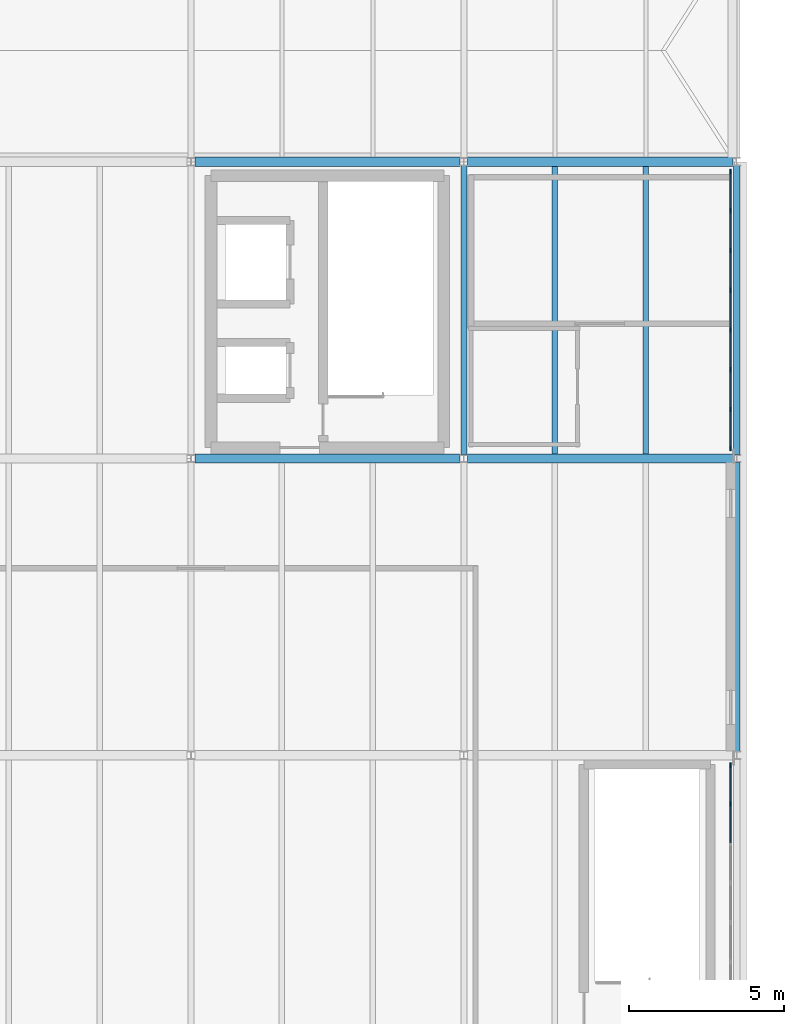
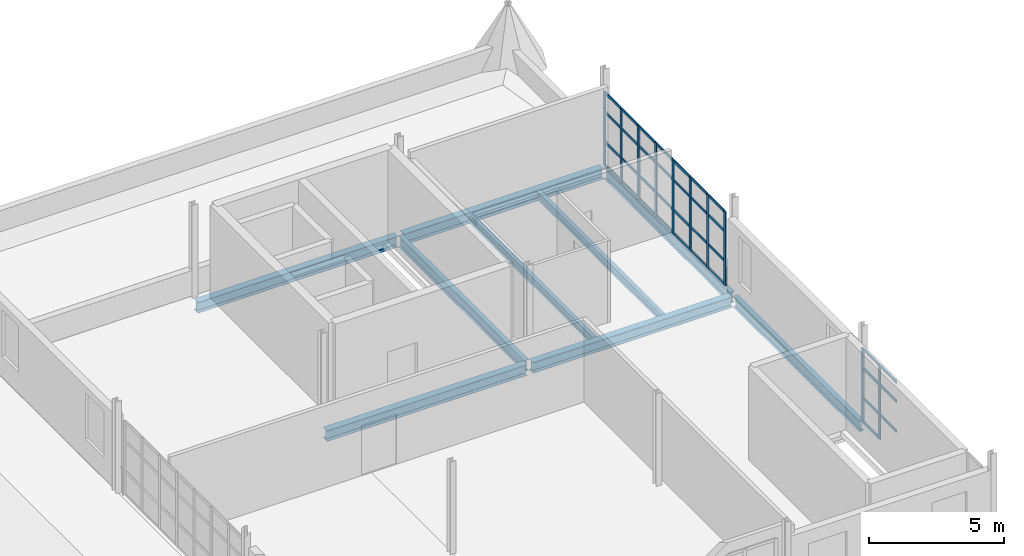
# One storey, part 14 of 28: 45 members, 9 beams, 2 elements without a shape of their own.
"""IFC4 building model written with IfcOpenShell, lengths in metres."""

from ifc_helpers import new_model, si_unit, direction, frame, origin, origin_2d, place, context, subcontext, project, spatial, rectangle, i_section, extrude, material, layer, layer_set, material_profile, profile_set, type_object, element, aggregate, save


model = new_model("IFC4")

# Units and contexts
model_context = context("Model", 3, precision=1e-05, world=origin(), true_north=direction((0.0, 1.0)))
body_context = subcontext(model_context, "Body", "Model", "MODEL_VIEW")
ifc_project = project(units=[si_unit("LENGTHUNIT", "METRE"), si_unit("AREAUNIT", "SQUARE_METRE"), si_unit("VOLUMEUNIT", "CUBIC_METRE"), si_unit("PLANEANGLEUNIT", "RADIAN"), si_unit("MASSUNIT", "GRAM", prefix="KILO")], contexts=[model_context])

# Site, building, storey
site_placement = place(None, origin())
site = spatial("IfcSite", under=ifc_project, at=site_placement, CompositionType="ELEMENT")
building_placement = place(site_placement, origin())
building = spatial("IfcBuilding", under=site, at=building_placement, Name="Yeouljin Market Hall", CompositionType="ELEMENT")
storey_placement = place(building_placement, frame((0.0, 0.0, 15.0)))
storey = spatial("IfcBuildingStorey", under=building, at=storey_placement, Name="L03", CompositionType="ELEMENT", Elevation=15.0)

# Beams
ifc_material_1 = material(Name="Steel SM355", Category="steel")
ifc_material_profile_1 = material_profile(ifc_material_1, i_section(OverallWidth=0.199951171875, OverallDepth=0.5, WebThickness=0.010009765625, FlangeThickness=0.01611328125, FilletRadius=0.02001953125, at=origin_2d()), Name="H-500x200x10x16")
ifc_profile_set_1 = profile_set([ifc_material_profile_1], Name="Steel SM355")
beam_type_1 = type_object("IfcBeamType", Name="Beam_H-500x200x10x16", PredefinedType="BEAM", material=ifc_profile_set_1)
beam_1_placement = place(storey_placement, frame((167.570068359375, 19.324951171875, -0.514892578125), z_axis=(0.0, 1.0, 0.0), x_axis=(-1.0, 0.0, 0.0)))
element("IfcBeam", 1, at=beam_1_placement, inside=storey, type_object=beam_type_1, Name="Primary beam BM-L03-Y084", PredefinedType="BEAM", context=body_context, shape_type="SweptSolid", body=[
    extrude(i_section(OverallWidth=0.199951171875, OverallDepth=0.5, WebThickness=0.010009765625, FlangeThickness=0.01611328125, FilletRadius=0.02001953125, at=origin_2d()), origin(), (0.0, 0.0, 1.0), 9.35009765625),
])
beam_2_placement = place(storey_placement, frame((176.39990234375, 9.72509765625, -0.514892578125), z_axis=(0.0, 1.0, 0.0), x_axis=(-1.0, 0.0, 0.0)))
element("IfcBeam", 2, at=beam_2_placement, inside=storey, type_object=beam_type_1, Name="Primary beam BM-L03-Y087", PredefinedType="BEAM", context=body_context, shape_type="SweptSolid", body=[
    extrude(i_section(OverallWidth=0.199951171875, OverallDepth=0.5, WebThickness=0.010009765625, FlangeThickness=0.01611328125, FilletRadius=0.02001953125, at=origin_2d()), origin(), (0.0, 0.0, 1.0), 9.349853515625),
])
beam_3_placement = place(storey_placement, frame((176.39990234375, 19.324951171875, -0.514892578125), z_axis=(0.0, 1.0, 0.0), x_axis=(-1.0, 0.0, 0.0)))
element("IfcBeam", 3, at=beam_3_placement, inside=storey, type_object=beam_type_1, Name="Primary beam BM-L03-Y088", PredefinedType="BEAM", context=body_context, shape_type="SweptSolid", body=[
    extrude(i_section(OverallWidth=0.199951171875, OverallDepth=0.5, WebThickness=0.010009765625, FlangeThickness=0.01611328125, FilletRadius=0.02001953125, at=origin_2d()), origin(), (0.0, 0.0, 1.0), 9.35009765625),
])

# Curtain wall, members
ifc_material_2 = material(Name="Thermally Broken Aluminium", Category="aluminium")
ifc_layer = layer(ifc_material_2, 0.14990234375)
ifc_layer_set = layer_set([ifc_layer], Name="Thermally Broken Aluminium")
curtain_wall_type = type_object("IfcCurtainWallType", Name="CW_AcademyRibbon_System", PredefinedType="USERDEFINED", material=ifc_layer_set)
curtain_wall_1_placement = place(storey_placement, origin())
curtain_wall_1 = element("IfcCurtainWall", 4, at=curtain_wall_1_placement, inside=storey, type_object=curtain_wall_type, Name="Curtain wall CW-L03-W13", ObjectType="CURTAIN WALL", PredefinedType="USERDEFINED")
ifc_material_3 = material(Name="Thermally Broken Aluminium", Category="aluminium")
ifc_material_profile_2 = material_profile(ifc_material_3, rectangle(XDim=0.048095703125, YDim=0.14990234375, at=origin_2d()), Name="CW-MULL-48x150")
ifc_profile_set_2 = profile_set([ifc_material_profile_2], Name="Thermally Broken Aluminium")
member_type_1 = type_object("IfcMemberType", Name="CWMullion_48x150", PredefinedType="MULLION", material=ifc_profile_set_2)
member_1_placement = place(storey_placement, frame((176.199951171875, 28.47607421875, 0.0), z_axis=(0.0, 0.0, 1.0), x_axis=(1.0, 0.0, 0.0)))
member_1 = element("IfcMember", 5, at=member_1_placement, type_object=member_type_1, Name="CW-05 mullion 1", PredefinedType="MULLION", context=body_context, shape_type="SweptSolid", body=[
    extrude(rectangle(XDim=0.048095703125, YDim=0.14990234375, at=origin_2d()), origin(), (0.0, 0.0, 1.0), 3.35009765625),
])
member_2_placement = place(storey_placement, frame((176.199951171875, 27.21435546875, 0.0), z_axis=(0.0, 0.0, 1.0), x_axis=(1.0, 0.0, 0.0)))
member_2 = element("IfcMember", 6, at=member_2_placement, type_object=member_type_1, Name="CW-05 mullion 2", PredefinedType="MULLION", context=body_context, shape_type="SweptSolid", body=[
    extrude(rectangle(XDim=0.048095703125, YDim=0.14990234375, at=origin_2d()), origin(), (0.0, 0.0, 1.0), 3.35009765625),
])
member_3_placement = place(storey_placement, frame((176.199951171875, 25.928466796875, 0.0), z_axis=(0.0, 0.0, 1.0), x_axis=(1.0, 0.0, 0.0)))
member_3 = element("IfcMember", 7, at=member_3_placement, type_object=member_type_1, Name="CW-05 mullion 3", PredefinedType="MULLION", context=body_context, shape_type="SweptSolid", body=[
    extrude(rectangle(XDim=0.048095703125, YDim=0.14990234375, at=origin_2d()), origin(), (0.0, 0.0, 1.0), 3.35009765625),
])
member_4_placement = place(storey_placement, frame((176.199951171875, 24.642822265625, 0.0), z_axis=(0.0, 0.0, 1.0), x_axis=(1.0, 0.0, 0.0)))
member_4 = element("IfcMember", 8, at=member_4_placement, type_object=member_type_1, Name="CW-05 mullion 4", PredefinedType="MULLION", context=body_context, shape_type="SweptSolid", body=[
    extrude(rectangle(XDim=0.048095703125, YDim=0.14990234375, at=origin_2d()), origin(), (0.0, 0.0, 1.0), 3.35009765625),
])
member_5_placement = place(storey_placement, frame((176.199951171875, 23.357177734375, 0.0), z_axis=(0.0, 0.0, 1.0), x_axis=(1.0, 0.0, 0.0)))
member_5 = element("IfcMember", 9, at=member_5_placement, type_object=member_type_1, Name="CW-05 mullion 5", PredefinedType="MULLION", context=body_context, shape_type="SweptSolid", body=[
    extrude(rectangle(XDim=0.048095703125, YDim=0.14990234375, at=origin_2d()), origin(), (0.0, 0.0, 1.0), 3.35009765625),
])
member_6_placement = place(storey_placement, frame((176.199951171875, 22.071533203125, 0.0), z_axis=(0.0, 0.0, 1.0), x_axis=(1.0, 0.0, 0.0)))
member_6 = element("IfcMember", 10, at=member_6_placement, type_object=member_type_1, Name="CW-05 mullion 6", PredefinedType="MULLION", context=body_context, shape_type="SweptSolid", body=[
    extrude(rectangle(XDim=0.048095703125, YDim=0.14990234375, at=origin_2d()), origin(), (0.0, 0.0, 1.0), 3.35009765625),
])
member_7_placement = place(storey_placement, frame((176.199951171875, 20.78564453125, 0.0), z_axis=(0.0, 0.0, 1.0), x_axis=(1.0, 0.0, 0.0)))
member_7 = element("IfcMember", 11, at=member_7_placement, type_object=member_type_1, Name="CW-05 mullion 7", PredefinedType="MULLION", context=body_context, shape_type="SweptSolid", body=[
    extrude(rectangle(XDim=0.048095703125, YDim=0.14990234375, at=origin_2d()), origin(), (0.0, 0.0, 1.0), 3.35009765625),
])
member_8_placement = place(storey_placement, frame((176.199951171875, 19.52392578125, 0.0), z_axis=(0.0, 0.0, 1.0), x_axis=(1.0, 0.0, 0.0)))
member_8 = element("IfcMember", 12, at=member_8_placement, type_object=member_type_1, Name="CW-05 mullion 8", PredefinedType="MULLION", context=body_context, shape_type="SweptSolid", body=[
    extrude(rectangle(XDim=0.048095703125, YDim=0.14990234375, at=origin_2d()), origin(), (0.0, 0.0, 1.0), 3.35009765625),
])

curtain_wall_2_placement = place(storey_placement, origin())
curtain_wall_2 = element("IfcCurtainWall", 13, at=curtain_wall_2_placement, inside=storey, type_object=curtain_wall_type, Name="Curtain wall CW-L03-W15", ObjectType="CURTAIN WALL", PredefinedType="USERDEFINED")
member_9_placement = place(storey_placement, frame((176.199951171875, 9.27587890625, 0.0), z_axis=(0.0, 0.0, 1.0), x_axis=(1.0, 0.0, 0.0)))
member_9 = element("IfcMember", 14, at=member_9_placement, type_object=member_type_1, Name="CW-05 mullion 1", PredefinedType="MULLION", context=body_context, shape_type="SweptSolid", body=[
    extrude(rectangle(XDim=0.048095703125, YDim=0.14990234375, at=origin_2d()), origin(), (0.0, 0.0, 1.0), 3.35009765625),
])
member_10_placement = place(storey_placement, frame((176.199951171875, 8.021484375, 0.0), z_axis=(0.0, 0.0, 1.0), x_axis=(1.0, 0.0, 0.0)))
member_10 = element("IfcMember", 15, at=member_10_placement, type_object=member_type_1, Name="CW-05 mullion 2", PredefinedType="MULLION", context=body_context, shape_type="SweptSolid", body=[
    extrude(rectangle(XDim=0.048095703125, YDim=0.14990234375, at=origin_2d()), origin(), (0.0, 0.0, 1.0), 3.35009765625),
])

# Member
ifc_material_4 = material(Name="Thermally Broken Aluminium", Category="aluminium")
ifc_material_profile_3 = material_profile(ifc_material_4, rectangle(XDim=0.048095703125, YDim=0.1201171875, at=origin_2d()), Name="CW-TRAN-48x120")
ifc_profile_set_3 = profile_set([ifc_material_profile_3], Name="Thermally Broken Aluminium")
member_type_2 = type_object("IfcMemberType", Name="CWTransom_48x120", PredefinedType="USERDEFINED", material=ifc_profile_set_3)
member_11_placement = place(storey_placement, frame((176.199951171875, 28.451904296875, 0.02392578125), z_axis=(0.0, -1.0, 0.0), x_axis=(1.0, 0.0, 0.0)))
member_11 = element("IfcMember", 16, at=member_11_placement, type_object=member_type_2, Name="CW-05 transom 1.1", ObjectType="TRANSOM", PredefinedType="USERDEFINED", context=body_context, shape_type="SweptSolid", body=[
    extrude(rectangle(XDim=0.048095703125, YDim=0.1201171875, at=origin_2d()), origin(), (0.0, 0.0, 1.0), 1.213623046875),
])

member_12_placement = place(storey_placement, frame((176.199951171875, 28.451904296875, 1.10009765625), z_axis=(0.0, -1.0, 0.0), x_axis=(1.0, 0.0, 0.0)))
member_12 = element("IfcMember", 17, at=member_12_placement, type_object=member_type_2, Name="CW-05 transom 1.2", ObjectType="TRANSOM", PredefinedType="USERDEFINED", context=body_context, shape_type="SweptSolid", body=[
    extrude(rectangle(XDim=0.048095703125, YDim=0.1201171875, at=origin_2d()), origin(), (0.0, 0.0, 1.0), 1.213623046875),
])

member_13_placement = place(storey_placement, frame((176.199951171875, 28.451904296875, 2.449951171875), z_axis=(0.0, -1.0, 0.0), x_axis=(1.0, 0.0, 0.0)))
member_13 = element("IfcMember", 18, at=member_13_placement, type_object=member_type_2, Name="CW-05 transom 1.3", ObjectType="TRANSOM", PredefinedType="USERDEFINED", context=body_context, shape_type="SweptSolid", body=[
    extrude(rectangle(XDim=0.048095703125, YDim=0.1201171875, at=origin_2d()), origin(), (0.0, 0.0, 1.0), 1.213623046875),
])

member_14_placement = place(storey_placement, frame((176.199951171875, 28.451904296875, 3.325927734375), z_axis=(0.0, -1.0, 0.0), x_axis=(1.0, 0.0, 0.0)))
member_14 = element("IfcMember", 19, at=member_14_placement, type_object=member_type_2, Name="CW-05 transom 1.4", ObjectType="TRANSOM", PredefinedType="USERDEFINED", context=body_context, shape_type="SweptSolid", body=[
    extrude(rectangle(XDim=0.048095703125, YDim=0.1201171875, at=origin_2d()), origin(), (0.0, 0.0, 1.0), 1.213623046875),
])

member_15_placement = place(storey_placement, frame((176.199951171875, 27.190185546875, 0.02392578125), z_axis=(0.0, -1.0, 0.0), x_axis=(1.0, 0.0, 0.0)))
member_15 = element("IfcMember", 20, at=member_15_placement, type_object=member_type_2, Name="CW-05 transom 2.1", ObjectType="TRANSOM", PredefinedType="USERDEFINED", context=body_context, shape_type="SweptSolid", body=[
    extrude(rectangle(XDim=0.048095703125, YDim=0.1201171875, at=origin_2d()), origin(), (0.0, 0.0, 1.0), 1.237548828125),
])

member_16_placement = place(storey_placement, frame((176.199951171875, 27.190185546875, 1.10009765625), z_axis=(0.0, -1.0, 0.0), x_axis=(1.0, 0.0, 0.0)))
member_16 = element("IfcMember", 21, at=member_16_placement, type_object=member_type_2, Name="CW-05 transom 2.2", ObjectType="TRANSOM", PredefinedType="USERDEFINED", context=body_context, shape_type="SweptSolid", body=[
    extrude(rectangle(XDim=0.048095703125, YDim=0.1201171875, at=origin_2d()), origin(), (0.0, 0.0, 1.0), 1.237548828125),
])

member_17_placement = place(storey_placement, frame((176.199951171875, 27.190185546875, 2.449951171875), z_axis=(0.0, -1.0, 0.0), x_axis=(1.0, 0.0, 0.0)))
member_17 = element("IfcMember", 22, at=member_17_placement, type_object=member_type_2, Name="CW-05 transom 2.3", ObjectType="TRANSOM", PredefinedType="USERDEFINED", context=body_context, shape_type="SweptSolid", body=[
    extrude(rectangle(XDim=0.048095703125, YDim=0.1201171875, at=origin_2d()), origin(), (0.0, 0.0, 1.0), 1.237548828125),
])

member_18_placement = place(storey_placement, frame((176.199951171875, 27.190185546875, 3.325927734375), z_axis=(0.0, -1.0, 0.0), x_axis=(1.0, 0.0, 0.0)))
member_18 = element("IfcMember", 23, at=member_18_placement, type_object=member_type_2, Name="CW-05 transom 2.4", ObjectType="TRANSOM", PredefinedType="USERDEFINED", context=body_context, shape_type="SweptSolid", body=[
    extrude(rectangle(XDim=0.048095703125, YDim=0.1201171875, at=origin_2d()), origin(), (0.0, 0.0, 1.0), 1.237548828125),
])

member_19_placement = place(storey_placement, frame((176.199951171875, 25.904541015625, 0.02392578125), z_axis=(0.0, -1.0, 0.0), x_axis=(1.0, 0.0, 0.0)))
member_19 = element("IfcMember", 24, at=member_19_placement, type_object=member_type_2, Name="CW-05 transom 3.1", ObjectType="TRANSOM", PredefinedType="USERDEFINED", context=body_context, shape_type="SweptSolid", body=[
    extrude(rectangle(XDim=0.048095703125, YDim=0.1201171875, at=origin_2d()), origin(), (0.0, 0.0, 1.0), 1.23779296875),
])

member_20_placement = place(storey_placement, frame((176.199951171875, 25.904541015625, 1.10009765625), z_axis=(0.0, -1.0, 0.0), x_axis=(1.0, 0.0, 0.0)))
member_20 = element("IfcMember", 25, at=member_20_placement, type_object=member_type_2, Name="CW-05 transom 3.2", ObjectType="TRANSOM", PredefinedType="USERDEFINED", context=body_context, shape_type="SweptSolid", body=[
    extrude(rectangle(XDim=0.048095703125, YDim=0.1201171875, at=origin_2d()), origin(), (0.0, 0.0, 1.0), 1.23779296875),
])

member_21_placement = place(storey_placement, frame((176.199951171875, 25.904541015625, 2.449951171875), z_axis=(0.0, -1.0, 0.0), x_axis=(1.0, 0.0, 0.0)))
member_21 = element("IfcMember", 26, at=member_21_placement, type_object=member_type_2, Name="CW-05 transom 3.3", ObjectType="TRANSOM", PredefinedType="USERDEFINED", context=body_context, shape_type="SweptSolid", body=[
    extrude(rectangle(XDim=0.048095703125, YDim=0.1201171875, at=origin_2d()), origin(), (0.0, 0.0, 1.0), 1.23779296875),
])

member_22_placement = place(storey_placement, frame((176.199951171875, 25.904541015625, 3.325927734375), z_axis=(0.0, -1.0, 0.0), x_axis=(1.0, 0.0, 0.0)))
member_22 = element("IfcMember", 27, at=member_22_placement, type_object=member_type_2, Name="CW-05 transom 3.4", ObjectType="TRANSOM", PredefinedType="USERDEFINED", context=body_context, shape_type="SweptSolid", body=[
    extrude(rectangle(XDim=0.048095703125, YDim=0.1201171875, at=origin_2d()), origin(), (0.0, 0.0, 1.0), 1.23779296875),
])

member_23_placement = place(storey_placement, frame((176.199951171875, 24.618896484375, 0.02392578125), z_axis=(0.0, -1.0, 0.0), x_axis=(1.0, 0.0, 0.0)))
member_23 = element("IfcMember", 28, at=member_23_placement, type_object=member_type_2, Name="CW-05 transom 4.1", ObjectType="TRANSOM", PredefinedType="USERDEFINED", context=body_context, shape_type="SweptSolid", body=[
    extrude(rectangle(XDim=0.048095703125, YDim=0.1201171875, at=origin_2d()), origin(), (0.0, 0.0, 1.0), 1.23779296875),
])

member_24_placement = place(storey_placement, frame((176.199951171875, 24.618896484375, 1.10009765625), z_axis=(0.0, -1.0, 0.0), x_axis=(1.0, 0.0, 0.0)))
member_24 = element("IfcMember", 29, at=member_24_placement, type_object=member_type_2, Name="CW-05 transom 4.2", ObjectType="TRANSOM", PredefinedType="USERDEFINED", context=body_context, shape_type="SweptSolid", body=[
    extrude(rectangle(XDim=0.048095703125, YDim=0.1201171875, at=origin_2d()), origin(), (0.0, 0.0, 1.0), 1.23779296875),
])

member_25_placement = place(storey_placement, frame((176.199951171875, 24.618896484375, 2.449951171875), z_axis=(0.0, -1.0, 0.0), x_axis=(1.0, 0.0, 0.0)))
member_25 = element("IfcMember", 30, at=member_25_placement, type_object=member_type_2, Name="CW-05 transom 4.3", ObjectType="TRANSOM", PredefinedType="USERDEFINED", context=body_context, shape_type="SweptSolid", body=[
    extrude(rectangle(XDim=0.048095703125, YDim=0.1201171875, at=origin_2d()), origin(), (0.0, 0.0, 1.0), 1.23779296875),
])

member_26_placement = place(storey_placement, frame((176.199951171875, 24.618896484375, 3.325927734375), z_axis=(0.0, -1.0, 0.0), x_axis=(1.0, 0.0, 0.0)))
member_26 = element("IfcMember", 31, at=member_26_placement, type_object=member_type_2, Name="CW-05 transom 4.4", ObjectType="TRANSOM", PredefinedType="USERDEFINED", context=body_context, shape_type="SweptSolid", body=[
    extrude(rectangle(XDim=0.048095703125, YDim=0.1201171875, at=origin_2d()), origin(), (0.0, 0.0, 1.0), 1.23779296875),
])

member_27_placement = place(storey_placement, frame((176.199951171875, 23.333251953125, 0.02392578125), z_axis=(0.0, -1.0, 0.0), x_axis=(1.0, 0.0, 0.0)))
member_27 = element("IfcMember", 32, at=member_27_placement, type_object=member_type_2, Name="CW-05 transom 5.1", ObjectType="TRANSOM", PredefinedType="USERDEFINED", context=body_context, shape_type="SweptSolid", body=[
    extrude(rectangle(XDim=0.048095703125, YDim=0.1201171875, at=origin_2d()), origin(), (0.0, 0.0, 1.0), 1.23779296875),
])

member_28_placement = place(storey_placement, frame((176.199951171875, 23.333251953125, 1.10009765625), z_axis=(0.0, -1.0, 0.0), x_axis=(1.0, 0.0, 0.0)))
member_28 = element("IfcMember", 33, at=member_28_placement, type_object=member_type_2, Name="CW-05 transom 5.2", ObjectType="TRANSOM", PredefinedType="USERDEFINED", context=body_context, shape_type="SweptSolid", body=[
    extrude(rectangle(XDim=0.048095703125, YDim=0.1201171875, at=origin_2d()), origin(), (0.0, 0.0, 1.0), 1.23779296875),
])

member_29_placement = place(storey_placement, frame((176.199951171875, 23.333251953125, 2.449951171875), z_axis=(0.0, -1.0, 0.0), x_axis=(1.0, 0.0, 0.0)))
member_29 = element("IfcMember", 34, at=member_29_placement, type_object=member_type_2, Name="CW-05 transom 5.3", ObjectType="TRANSOM", PredefinedType="USERDEFINED", context=body_context, shape_type="SweptSolid", body=[
    extrude(rectangle(XDim=0.048095703125, YDim=0.1201171875, at=origin_2d()), origin(), (0.0, 0.0, 1.0), 1.23779296875),
])

member_30_placement = place(storey_placement, frame((176.199951171875, 23.333251953125, 3.325927734375), z_axis=(0.0, -1.0, 0.0), x_axis=(1.0, 0.0, 0.0)))
member_30 = element("IfcMember", 35, at=member_30_placement, type_object=member_type_2, Name="CW-05 transom 5.4", ObjectType="TRANSOM", PredefinedType="USERDEFINED", context=body_context, shape_type="SweptSolid", body=[
    extrude(rectangle(XDim=0.048095703125, YDim=0.1201171875, at=origin_2d()), origin(), (0.0, 0.0, 1.0), 1.23779296875),
])

member_31_placement = place(storey_placement, frame((176.199951171875, 22.04736328125, 0.02392578125), z_axis=(0.0, -1.0, 0.0), x_axis=(1.0, 0.0, 0.0)))
member_31 = element("IfcMember", 36, at=member_31_placement, type_object=member_type_2, Name="CW-05 transom 6.1", ObjectType="TRANSOM", PredefinedType="USERDEFINED", context=body_context, shape_type="SweptSolid", body=[
    extrude(rectangle(XDim=0.048095703125, YDim=0.1201171875, at=origin_2d()), origin(), (0.0, 0.0, 1.0), 1.237548828125),
])

member_32_placement = place(storey_placement, frame((176.199951171875, 22.04736328125, 1.10009765625), z_axis=(0.0, -1.0, 0.0), x_axis=(1.0, 0.0, 0.0)))
member_32 = element("IfcMember", 37, at=member_32_placement, type_object=member_type_2, Name="CW-05 transom 6.2", ObjectType="TRANSOM", PredefinedType="USERDEFINED", context=body_context, shape_type="SweptSolid", body=[
    extrude(rectangle(XDim=0.048095703125, YDim=0.1201171875, at=origin_2d()), origin(), (0.0, 0.0, 1.0), 1.237548828125),
])

member_33_placement = place(storey_placement, frame((176.199951171875, 22.04736328125, 2.449951171875), z_axis=(0.0, -1.0, 0.0), x_axis=(1.0, 0.0, 0.0)))
member_33 = element("IfcMember", 38, at=member_33_placement, type_object=member_type_2, Name="CW-05 transom 6.3", ObjectType="TRANSOM", PredefinedType="USERDEFINED", context=body_context, shape_type="SweptSolid", body=[
    extrude(rectangle(XDim=0.048095703125, YDim=0.1201171875, at=origin_2d()), origin(), (0.0, 0.0, 1.0), 1.237548828125),
])

member_34_placement = place(storey_placement, frame((176.199951171875, 22.04736328125, 3.325927734375), z_axis=(0.0, -1.0, 0.0), x_axis=(1.0, 0.0, 0.0)))
member_34 = element("IfcMember", 39, at=member_34_placement, type_object=member_type_2, Name="CW-05 transom 6.4", ObjectType="TRANSOM", PredefinedType="USERDEFINED", context=body_context, shape_type="SweptSolid", body=[
    extrude(rectangle(XDim=0.048095703125, YDim=0.1201171875, at=origin_2d()), origin(), (0.0, 0.0, 1.0), 1.237548828125),
])

member_35_placement = place(storey_placement, frame((176.199951171875, 20.76171875, 0.02392578125), z_axis=(0.0, -1.0, 0.0), x_axis=(1.0, 0.0, 0.0)))
member_35 = element("IfcMember", 40, at=member_35_placement, type_object=member_type_2, Name="CW-05 transom 7.1", ObjectType="TRANSOM", PredefinedType="USERDEFINED", context=body_context, shape_type="SweptSolid", body=[
    extrude(rectangle(XDim=0.048095703125, YDim=0.1201171875, at=origin_2d()), origin(), (0.0, 0.0, 1.0), 1.213623046875),
])

member_36_placement = place(storey_placement, frame((176.199951171875, 20.76171875, 1.10009765625), z_axis=(0.0, -1.0, 0.0), x_axis=(1.0, 0.0, 0.0)))
member_36 = element("IfcMember", 41, at=member_36_placement, type_object=member_type_2, Name="CW-05 transom 7.2", ObjectType="TRANSOM", PredefinedType="USERDEFINED", context=body_context, shape_type="SweptSolid", body=[
    extrude(rectangle(XDim=0.048095703125, YDim=0.1201171875, at=origin_2d()), origin(), (0.0, 0.0, 1.0), 1.213623046875),
])

member_37_placement = place(storey_placement, frame((176.199951171875, 20.76171875, 2.449951171875), z_axis=(0.0, -1.0, 0.0), x_axis=(1.0, 0.0, 0.0)))
member_37 = element("IfcMember", 42, at=member_37_placement, type_object=member_type_2, Name="CW-05 transom 7.3", ObjectType="TRANSOM", PredefinedType="USERDEFINED", context=body_context, shape_type="SweptSolid", body=[
    extrude(rectangle(XDim=0.048095703125, YDim=0.1201171875, at=origin_2d()), origin(), (0.0, 0.0, 1.0), 1.213623046875),
])

member_38_placement = place(storey_placement, frame((176.199951171875, 20.76171875, 3.325927734375), z_axis=(0.0, -1.0, 0.0), x_axis=(1.0, 0.0, 0.0)))
member_38 = element("IfcMember", 43, at=member_38_placement, type_object=member_type_2, Name="CW-05 transom 7.4", ObjectType="TRANSOM", PredefinedType="USERDEFINED", context=body_context, shape_type="SweptSolid", body=[
    extrude(rectangle(XDim=0.048095703125, YDim=0.1201171875, at=origin_2d()), origin(), (0.0, 0.0, 1.0), 1.213623046875),
])

aggregate(curtain_wall_1, [member_1, member_2, member_3, member_4, member_5, member_6, member_7, member_8, member_11, member_12, member_13, member_14, member_15, member_16, member_17, member_18, member_19, member_20, member_21, member_22, member_23, member_24, member_25, member_26, member_27, member_28, member_29, member_30, member_31, member_32, member_33, member_34, member_35, member_36, member_37, member_38])

member_39_placement = place(storey_placement, frame((176.199951171875, 9.251953125, 0.02392578125), z_axis=(0.0, -1.0, 0.0), x_axis=(1.0, 0.0, 0.0)))
member_39 = element("IfcMember", 44, at=member_39_placement, type_object=member_type_2, Name="CW-05 transom 1.1", ObjectType="TRANSOM", PredefinedType="USERDEFINED", context=body_context, shape_type="SweptSolid", body=[
    extrude(rectangle(XDim=0.048095703125, YDim=0.1201171875, at=origin_2d()), origin(), (0.0, 0.0, 1.0), 1.20654296875),
])

member_40_placement = place(storey_placement, frame((176.199951171875, 9.251953125, 1.10009765625), z_axis=(0.0, -1.0, 0.0), x_axis=(1.0, 0.0, 0.0)))
member_40 = element("IfcMember", 45, at=member_40_placement, type_object=member_type_2, Name="CW-05 transom 1.2", ObjectType="TRANSOM", PredefinedType="USERDEFINED", context=body_context, shape_type="SweptSolid", body=[
    extrude(rectangle(XDim=0.048095703125, YDim=0.1201171875, at=origin_2d()), origin(), (0.0, 0.0, 1.0), 1.20654296875),
])

member_41_placement = place(storey_placement, frame((176.199951171875, 9.251953125, 2.449951171875), z_axis=(0.0, -1.0, 0.0), x_axis=(1.0, 0.0, 0.0)))
member_41 = element("IfcMember", 46, at=member_41_placement, type_object=member_type_2, Name="CW-05 transom 1.3", ObjectType="TRANSOM", PredefinedType="USERDEFINED", context=body_context, shape_type="SweptSolid", body=[
    extrude(rectangle(XDim=0.048095703125, YDim=0.1201171875, at=origin_2d()), origin(), (0.0, 0.0, 1.0), 1.20654296875),
])

member_42_placement = place(storey_placement, frame((176.199951171875, 9.251953125, 3.325927734375), z_axis=(0.0, -1.0, 0.0), x_axis=(1.0, 0.0, 0.0)))
member_42 = element("IfcMember", 47, at=member_42_placement, type_object=member_type_2, Name="CW-05 transom 1.4", ObjectType="TRANSOM", PredefinedType="USERDEFINED", context=body_context, shape_type="SweptSolid", body=[
    extrude(rectangle(XDim=0.048095703125, YDim=0.1201171875, at=origin_2d()), origin(), (0.0, 0.0, 1.0), 1.20654296875),
])

member_43_placement = place(storey_placement, frame((176.199951171875, 7.997314453125, 1.10009765625), z_axis=(0.0, -1.0, 0.0), x_axis=(1.0, 0.0, 0.0)))
member_43 = element("IfcMember", 48, at=member_43_placement, type_object=member_type_2, Name="CW-05 transom 2.2", ObjectType="TRANSOM", PredefinedType="USERDEFINED", context=body_context, shape_type="SweptSolid", body=[
    extrude(rectangle(XDim=0.048095703125, YDim=0.1201171875, at=origin_2d()), origin(), (0.0, 0.0, 1.0), 1.23046875),
])

member_44_placement = place(storey_placement, frame((176.199951171875, 7.997314453125, 2.449951171875), z_axis=(0.0, -1.0, 0.0), x_axis=(1.0, 0.0, 0.0)))
member_44 = element("IfcMember", 49, at=member_44_placement, type_object=member_type_2, Name="CW-05 transom 2.3", ObjectType="TRANSOM", PredefinedType="USERDEFINED", context=body_context, shape_type="SweptSolid", body=[
    extrude(rectangle(XDim=0.048095703125, YDim=0.1201171875, at=origin_2d()), origin(), (0.0, 0.0, 1.0), 1.23046875),
])

member_45_placement = place(storey_placement, frame((176.199951171875, 7.997314453125, 3.325927734375), z_axis=(0.0, -1.0, 0.0), x_axis=(1.0, 0.0, 0.0)))
member_45 = element("IfcMember", 50, at=member_45_placement, type_object=member_type_2, Name="CW-05 transom 2.4", ObjectType="TRANSOM", PredefinedType="USERDEFINED", context=body_context, shape_type="SweptSolid", body=[
    extrude(rectangle(XDim=0.048095703125, YDim=0.1201171875, at=origin_2d()), origin(), (0.0, 0.0, 1.0), 1.23046875),
])

aggregate(curtain_wall_2, [member_9, member_10, member_39, member_40, member_41, member_42, member_43, member_44, member_45])

# Beams
ifc_material_5 = material(Name="Steel SM355", Category="steel")
ifc_material_profile_4 = material_profile(ifc_material_5, i_section(OverallWidth=0.300048828125, OverallDepth=0.488037109375, WebThickness=0.010986328125, FlangeThickness=0.01806640625, FilletRadius=0.02197265625, at=origin_2d()), Name="H-488x300x11x18")
ifc_profile_set_4 = profile_set([ifc_material_profile_4], Name="Steel SM355")
beam_type_2 = type_object("IfcBeamType", Name="Girder_H-488x300x11x18", PredefinedType="USERDEFINED", material=ifc_profile_set_4)
beam_4_placement = place(storey_placement, frame((158.864990234375, 19.199951171875, -0.509033203125), z_axis=(1.0, 0.0, 0.0), x_axis=(0.0, 1.0, 0.0)))
element("IfcBeam", 51, at=beam_4_placement, inside=storey, type_object=beam_type_2, Name="Primary girder GRD-L03-X017", ObjectType="GIRDER", PredefinedType="USERDEFINED", context=body_context, shape_type="SweptSolid", body=[
    extrude(i_section(OverallWidth=0.300048828125, OverallDepth=0.488037109375, WebThickness=0.010986328125, FlangeThickness=0.01806640625, FilletRadius=0.02197265625, at=origin_2d()), origin(), (0.0, 0.0, 1.0), 8.580078125),
])
beam_5_placement = place(storey_placement, frame((167.695068359375, 19.199951171875, -0.509033203125), z_axis=(1.0, 0.0, 0.0), x_axis=(0.0, 1.0, 0.0)))
element("IfcBeam", 52, at=beam_5_placement, inside=storey, type_object=beam_type_2, Name="Primary girder GRD-L03-X018", ObjectType="GIRDER", PredefinedType="USERDEFINED", context=body_context, shape_type="SweptSolid", body=[
    extrude(i_section(OverallWidth=0.300048828125, OverallDepth=0.488037109375, WebThickness=0.010986328125, FlangeThickness=0.01806640625, FilletRadius=0.02197265625, at=origin_2d()), origin(), (0.0, 0.0, 1.0), 8.579833984375),
])
beam_6_placement = place(storey_placement, frame((158.864990234375, 28.800048828125, -0.509033203125), z_axis=(1.0, 0.0, 0.0), x_axis=(0.0, 1.0, 0.0)))
element("IfcBeam", 53, at=beam_6_placement, inside=storey, type_object=beam_type_2, Name="Primary girder GRD-L03-X023", ObjectType="GIRDER", PredefinedType="USERDEFINED", context=body_context, shape_type="SweptSolid", body=[
    extrude(i_section(OverallWidth=0.300048828125, OverallDepth=0.488037109375, WebThickness=0.010986328125, FlangeThickness=0.01806640625, FilletRadius=0.02197265625, at=origin_2d()), origin(), (0.0, 0.0, 1.0), 8.580078125),
])
beam_7_placement = place(storey_placement, frame((167.695068359375, 28.800048828125, -0.509033203125), z_axis=(1.0, 0.0, 0.0), x_axis=(0.0, 1.0, 0.0)))
element("IfcBeam", 54, at=beam_7_placement, inside=storey, type_object=beam_type_2, Name="Primary girder GRD-L03-X024", ObjectType="GIRDER", PredefinedType="USERDEFINED", context=body_context, shape_type="SweptSolid", body=[
    extrude(i_section(OverallWidth=0.300048828125, OverallDepth=0.488037109375, WebThickness=0.010986328125, FlangeThickness=0.01806640625, FilletRadius=0.02197265625, at=origin_2d()), origin(), (0.0, 0.0, 1.0), 8.579833984375),
])
ifc_material_6 = material(Name="Steel SM355", Category="steel")
ifc_material_profile_5 = material_profile(ifc_material_6, i_section(OverallWidth=0.175048828125, OverallDepth=0.35009765625, WebThickness=0.007080078125, FlangeThickness=0.010986328125, FilletRadius=0.013916015625, at=origin_2d()), Name="H-350x175x7x11")
ifc_profile_set_5 = profile_set([ifc_material_profile_5], Name="Steel SM355")
beam_type_3 = type_object("IfcBeamType", Name="Joist_H-350x175x7x11", PredefinedType="JOIST", material=ifc_profile_set_5)
for number, where, z_axis, x_axis, name in (
    (55, (170.51318359375, 19.346923828125, -0.43994140625), (0.0, 1.0, 0.0), (-1.0, 0.0, 0.0), "Secondary floor joist L03-055"),
    (56, (173.456787109375, 19.346923828125, -0.43994140625), (0.0, 1.0, 0.0), (-1.0, 0.0, 0.0), "Secondary floor joist L03-056"),
):
    element("IfcBeam", number, at=place(storey_placement, frame(where, z_axis=z_axis, x_axis=x_axis)), inside=storey, type_object=beam_type_3, Name=name, PredefinedType="JOIST", context=body_context, shape_type="SweptSolid", body=[
        extrude(i_section(OverallWidth=0.175048828125, OverallDepth=0.35009765625, WebThickness=0.007080078125, FlangeThickness=0.010986328125, FilletRadius=0.013916015625, at=origin_2d()), origin(), (0.0, 0.0, 1.0), 9.30615234375),
    ])

save(model, "model.ifc")
